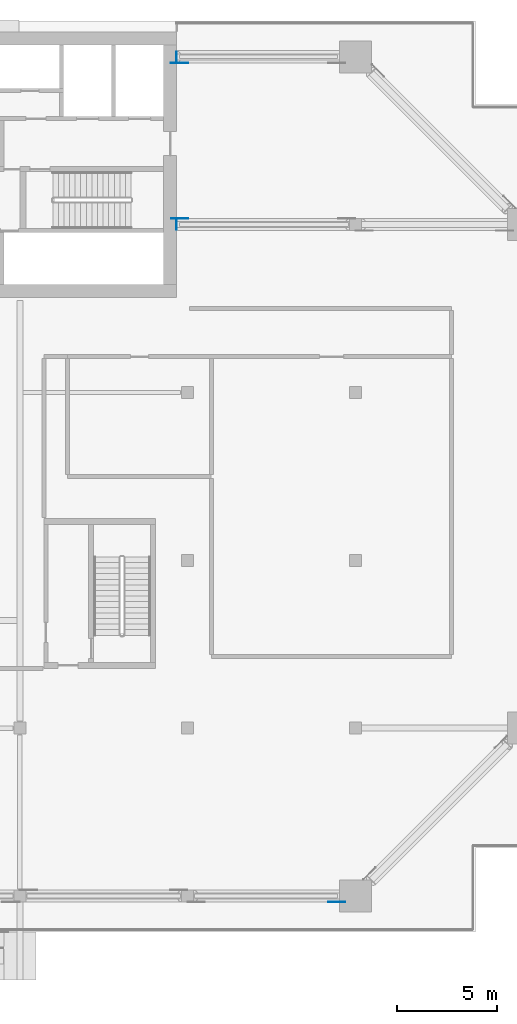
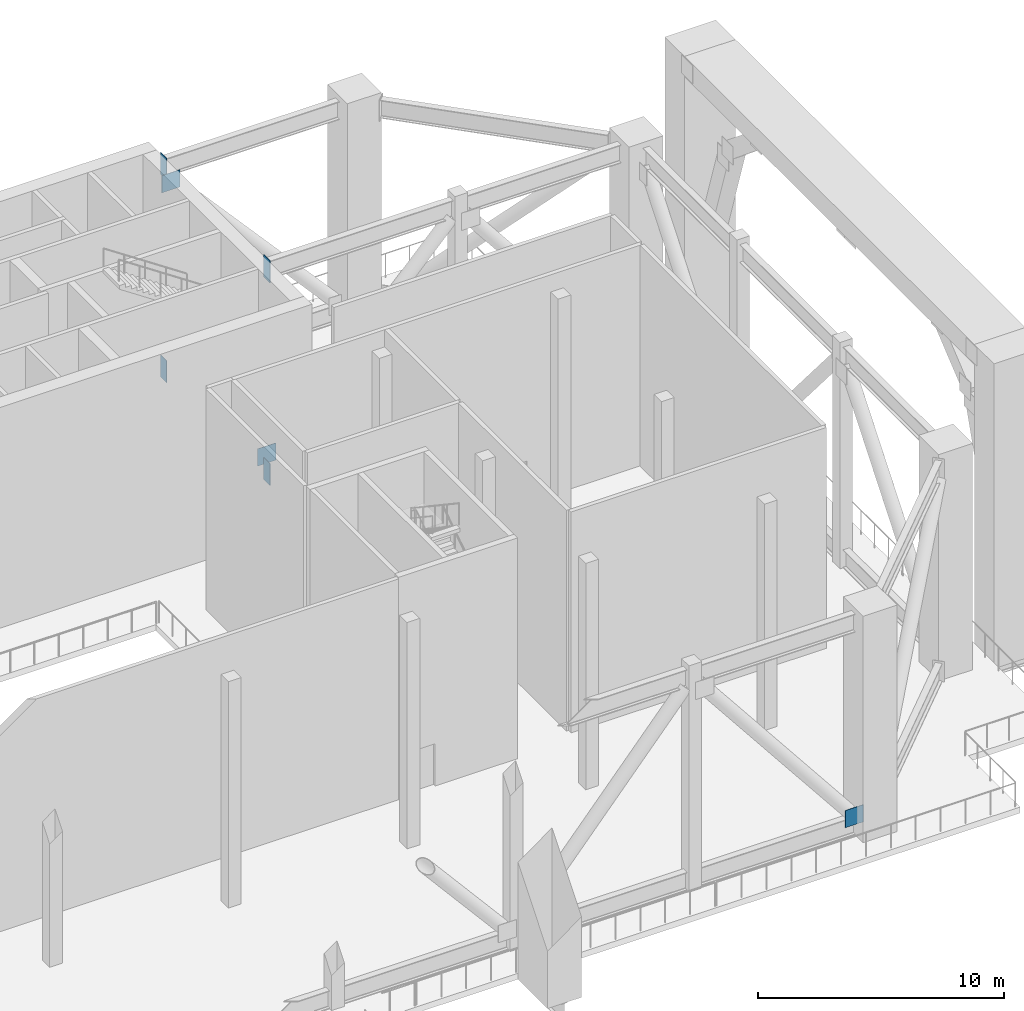
# One storey, part 13 of 19: 7 discrete accessories.
"""IFC4 building model written with IfcOpenShell, lengths in metres."""

from ifc_helpers import new_model, si_unit, direction, frame, origin, origin_2d, place, context, subcontext, project, spatial, rectangle, extrude, element, save


model = new_model("IFC4")

# Units and contexts
model_context = context("Model", 3, precision=1e-05, world=origin(), true_north=direction((0.0, 1.0)))
body_context = subcontext(model_context, "Body", "Model", "MODEL_VIEW")
ifc_project = project(units=[si_unit("LENGTHUNIT", "METRE"), si_unit("AREAUNIT", "SQUARE_METRE"), si_unit("VOLUMEUNIT", "CUBIC_METRE"), si_unit("PLANEANGLEUNIT", "RADIAN"), si_unit("MASSUNIT", "GRAM", prefix="KILO")], contexts=[model_context])

# Site, building, storey
site_placement = place(None, origin())
site = spatial("IfcSite", under=ifc_project, at=site_placement, CompositionType="ELEMENT")
building_placement = place(site_placement, origin())
building = spatial("IfcBuilding", under=site, at=building_placement, Name="Saffron Gate Tower", CompositionType="ELEMENT")
storey_placement = place(building_placement, frame((0.0, 0.0, 194.25)))
storey = spatial("IfcBuildingStorey", under=building, at=storey_placement, Name="L48", CompositionType="ELEMENT", Elevation=194.25)

# Discrete accessories
for number, where, z_axis, x_axis, name in (
    (1, (116.06689453125, 31.4951171875, 0.639892578125), (0.0, 0.0, 1.0), (-1.0, 0.0, 0.0), "GUSSET PLATE"),
    (2, (108.196533203125, 65.705078125, 0.62841796875), (0.0, 0.0, 1.0), (1.0, 0.0, 0.0), "GUSSET PLATE"),
    (3, (108.19189453125, 73.4951171875, 9.4833984375), (0.0, 0.0, 1.0), (-1.0, 0.0, 0.0), "GUSSET PLATE"),
):
    element("IfcDiscreteAccessory", number, at=place(storey_placement, frame(where, z_axis=z_axis, x_axis=x_axis)), inside=storey, Name=name, ObjectType="GUSSET PLATE", PredefinedType="USERDEFINED", context=body_context, shape_type="SweptSolid", body=[
        extrude(rectangle(XDim=0.85400390625, YDim=0.02001953125, at=origin_2d()), origin(), (0.0, 0.0, 1.0), 0.85400390625),
    ])
for number, where, z_axis, x_axis, name in (
    (4, (108.0400390625, 65.39990234375, 9.969970703125), (0.0, 0.0, 1.0), (-1.0, 0.0, 0.0), "OUTRIGGER CAST-IN PLATE"),
    (5, (108.0400390625, 65.39990234375, -0.10009765625), (0.0, 0.0, 1.0), (-1.0, 0.0, 0.0), "OUTRIGGER CAST-IN PLATE"),
    (6, (108.0400390625, 73.800048828125, 9.969970703125), (0.0, 0.0, 1.0), (-1.0, 0.0, 0.0), "OUTRIGGER CAST-IN PLATE"),
    (7, (108.0400390625, 73.800048828125, -0.10009765625), (0.0, 0.0, 1.0), (-1.0, 0.0, 0.0), "OUTRIGGER CAST-IN PLATE"),
):
    element("IfcDiscreteAccessory", number, at=place(storey_placement, frame(where, z_axis=z_axis, x_axis=x_axis)), inside=storey, Name=name, ObjectType="OUTRIGGER CAST-IN PLATE", PredefinedType="USERDEFINED", context=body_context, shape_type="SweptSolid", body=[
        extrude(rectangle(XDim=0.02001953125, YDim=0.5, at=origin_2d()), origin(), (0.0, 0.0, 1.0), 1.10009765625),
    ])

save(model, "model.ifc")
